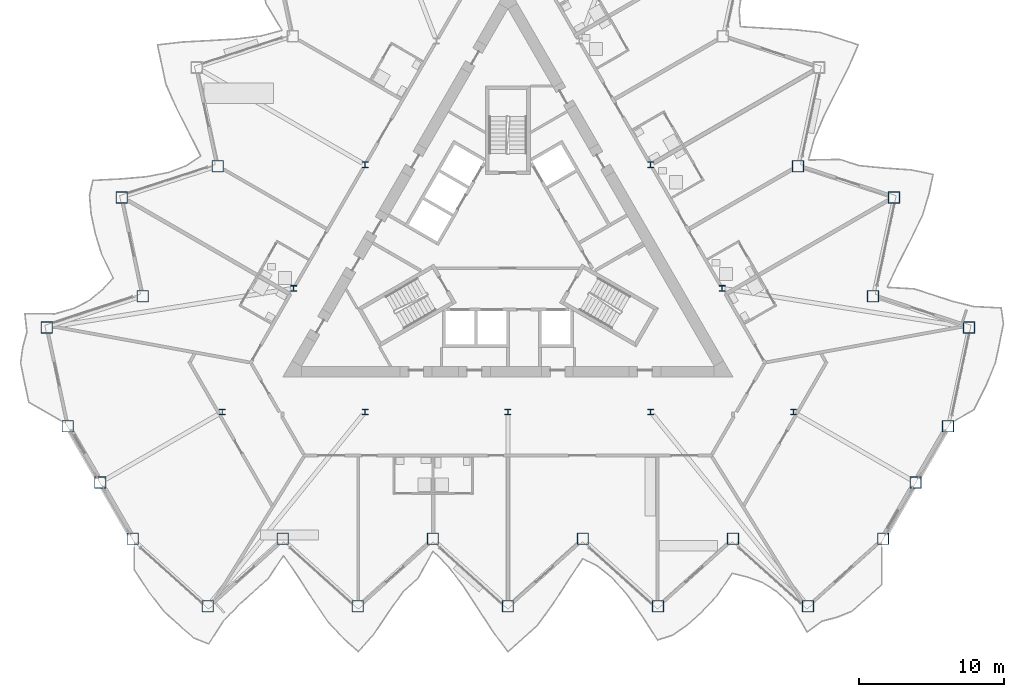
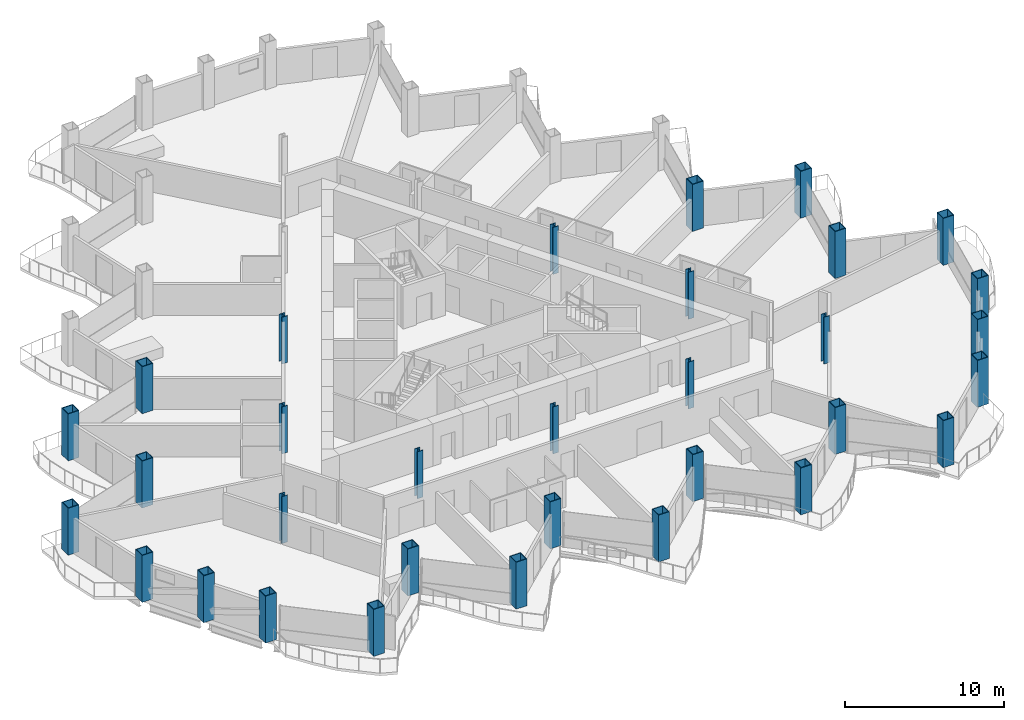
# One storey, part 1 of 24: 32 columns.
"""IFC4 building model written with IfcOpenShell, lengths in metres."""

from ifc_helpers import new_model, si_unit, direction, frame, origin, origin_2d, place, context, subcontext, project, spatial, hollow_rectangle, i_section, extrude, material, material_profile, profile_set, type_object, element, save


model = new_model("IFC4")

# Units and contexts
model_context = context("Model", 3, precision=1e-05, world=origin(), true_north=direction((0.0, 1.0)))
body_context = subcontext(model_context, "Body", "Model", "MODEL_VIEW")
ifc_project = project(units=[si_unit("LENGTHUNIT", "METRE"), si_unit("AREAUNIT", "SQUARE_METRE"), si_unit("VOLUMEUNIT", "CUBIC_METRE"), si_unit("PLANEANGLEUNIT", "RADIAN"), si_unit("MASSUNIT", "GRAM", prefix="KILO")], contexts=[model_context])

# Site, building, storey
site_placement = place(None, origin())
site = spatial("IfcSite", under=ifc_project, at=site_placement, CompositionType="ELEMENT")
building_placement = place(site_placement, origin())
building = spatial("IfcBuilding", under=site, at=building_placement, Name="Cormorant Prow Tower", CompositionType="ELEMENT")
storey_placement = place(building_placement, frame((0.0, 0.0, 205.199951171875)))
storey = spatial("IfcBuildingStorey", under=building, at=storey_placement, Name="L45", CompositionType="ELEMENT", Elevation=205.199951171875)

# Columns
ifc_material_1 = material(Name="Structural steel ASTM A572 Gr 50", Category="steel")
ifc_material_profile_1 = material_profile(ifc_material_1, hollow_rectangle(XDim=0.800048828125, YDim=0.800048828125, WallThickness=0.050048828125, at=origin_2d()), Name="Box 800x800x50")
ifc_profile_set_1 = profile_set([ifc_material_profile_1], Name="Structural steel ASTM A572 Gr 50")
column_type_1 = type_object("IfcColumnType", Name="Perimeter box column 800x800x50", PredefinedType="COLUMN", material=ifc_profile_set_1)
for number, where, z_axis, x_axis, name in (
    (1, (-25.823486328125, -20.0712890625, 0.0), (0.0, 0.0, 1.0), (1.0, 0.0, 0.0), "Perimeter column C4 at S00 L45"),
    (2, (-20.658935546875, -24.7216796875, 0.0), (0.0, 0.0, 1.0), (1.0, 0.0, 0.0), "Perimeter column C4 at S01 L45"),
    (3, (-15.494140625, -20.0712890625, 0.0), (0.0, 0.0, 1.0), (1.0, 0.0, 0.0), "Perimeter column C4 at S02 L45"),
    (4, (-10.329345703125, -24.7216796875, 0.0), (0.0, 0.0, 1.0), (1.0, 0.0, 0.0), "Perimeter column C4 at S03 L45"),
    (5, (-5.164794921875, -20.0712890625, 0.0), (0.0, 0.0, 1.0), (1.0, 0.0, 0.0), "Perimeter column C4 at S04 L45"),
    (6, (0.0, -24.7216796875, 0.0), (0.0, 0.0, 1.0), (1.0, 0.0, 0.0), "Perimeter column C4 at S05 L45"),
    (7, (5.164794921875, -20.0712890625, 0.0), (0.0, 0.0, 1.0), (1.0, 0.0, 0.0), "Perimeter column C4 at S06 L45"),
    (8, (10.329345703125, -24.7216796875, 0.0), (0.0, 0.0, 1.0), (1.0, 0.0, 0.0), "Perimeter column C4 at S07 L45"),
    (9, (15.494140625, -20.0712890625, 0.0), (0.0, 0.0, 1.0), (1.0, 0.0, 0.0), "Perimeter column C4 at S08 L45"),
    (10, (20.658935546875, -24.7216796875, 0.0), (0.0, 0.0, 1.0), (1.0, 0.0, 0.0), "Perimeter column C4 at S09 L45"),
    (11, (25.823486328125, -20.0712890625, 0.0), (0.0, 0.0, 1.0), (1.0, 0.0, 0.0), "Perimeter column C4 at ESE00 L45"),
    (12, (28.058837890625, -16.19970703125, 0.0), (0.0, 0.0, 1.0), (1.0, 0.0, 0.0), "Perimeter column C4 at ESE01 L45"),
    (13, (30.2939453125, -12.328369140625, 0.0), (0.0, 0.0, 1.0), (1.0, 0.0, 0.0), "Perimeter column C4 at ENE00 L45"),
    (14, (31.739013671875, -5.5302734375, 0.0), (0.0, 0.0, 1.0), (1.0, 0.0, 0.0), "Perimeter column C4 at ENE01 L45"),
    (15, (25.12939453125, -3.3828125, 0.0), (0.0, 0.0, 1.0), (1.0, 0.0, 0.0), "Perimeter column C4 at ENE02 L45"),
    (16, (26.57421875, 3.415283203125, 0.0), (0.0, 0.0, 1.0), (1.0, 0.0, 0.0), "Perimeter column C4 at ENE03 L45"),
    (17, (19.964599609375, 5.562744140625, 0.0), (0.0, 0.0, 1.0), (1.0, 0.0, 0.0), "Perimeter column C4 at ENE04 L45"),
    (18, (-19.964599609375, 5.562744140625, 0.0), (0.0, 0.0, 1.0), (1.0, 0.0, 0.0), "Perimeter column C4 at WNW06 L45"),
    (19, (-26.57421875, 3.415283203125, 0.0), (0.0, 0.0, 1.0), (1.0, 0.0, 0.0), "Perimeter column C4 at WNW07 L45"),
    (20, (-25.12939453125, -3.3828125, 0.0), (0.0, 0.0, 1.0), (1.0, 0.0, 0.0), "Perimeter column C4 at WNW08 L45"),
    (21, (-31.739013671875, -5.5302734375, 0.0), (0.0, 0.0, 1.0), (1.0, 0.0, 0.0), "Perimeter column C4 at WNW09 L45"),
    (22, (-30.2939453125, -12.328369140625, 0.0), (0.0, 0.0, 1.0), (1.0, 0.0, 0.0), "Perimeter column C4 at WSW00 L45"),
    (23, (-28.058837890625, -16.19970703125, 0.0), (0.0, 0.0, 1.0), (1.0, 0.0, 0.0), "Perimeter column C4 at WSW01 L45"),
):
    element("IfcColumn", number, at=place(storey_placement, frame(where, z_axis=z_axis, x_axis=x_axis)), inside=storey, type_object=column_type_1, Name=name, PredefinedType="COLUMN", context=body_context, shape_type="SweptSolid", body=[
        extrude(hollow_rectangle(XDim=0.800048828125, YDim=0.800048828125, WallThickness=0.050048828125, at=origin_2d()), origin(), (0.0, 0.0, 1.0), 3.60009765625),
    ])
ifc_material_2 = material(Name="Structural steel ASTM A992 Gr 50", Category="steel")
ifc_material_profile_2 = material_profile(ifc_material_2, i_section(OverallWidth=0.403564453125, OverallDepth=0.407470703125, WebThickness=0.027099609375, FlangeThickness=0.043701171875, at=origin_2d()), Name="W14x233")
ifc_profile_set_2 = profile_set([ifc_material_profile_2], Name="Structural steel ASTM A992 Gr 50")
column_type_2 = type_object("IfcColumnType", Name="Ring column W14x233", PredefinedType="COLUMN", material=ifc_profile_set_2)
for number, where, z_axis, x_axis, name in (
    (24, (-9.828369140625, 5.674560546875, 0.0), (0.0, 0.0, 1.0), (1.0, 0.0, 0.0), "Ring column 3 L45"),
    (25, (-14.74267578125, -2.837158203125, 0.0), (0.0, 0.0, 1.0), (1.0, 0.0, 0.0), "Ring column 4 L45"),
    (26, (-19.656982421875, -11.348876953125, 0.0), (0.0, 0.0, 1.0), (1.0, 0.0, 0.0), "Ring column 5 L45"),
    (27, (-9.828369140625, -11.348876953125, 0.0), (0.0, 0.0, 1.0), (1.0, 0.0, 0.0), "Ring column 6 L45"),
    (28, (0.0, -11.348876953125, 0.0), (0.0, 0.0, 1.0), (1.0, 0.0, 0.0), "Ring column 7 L45"),
    (29, (9.828369140625, -11.348876953125, 0.0), (0.0, 0.0, 1.0), (1.0, 0.0, 0.0), "Ring column 8 L45"),
    (30, (19.656982421875, -11.348876953125, 0.0), (0.0, 0.0, 1.0), (1.0, 0.0, 0.0), "Ring column 9 L45"),
    (31, (14.74267578125, -2.837158203125, 0.0), (0.0, 0.0, 1.0), (1.0, 0.0, 0.0), "Ring column 10 L45"),
    (32, (9.828369140625, 5.674560546875, 0.0), (0.0, 0.0, 1.0), (1.0, 0.0, 0.0), "Ring column 11 L45"),
):
    element("IfcColumn", number, at=place(storey_placement, frame(where, z_axis=z_axis, x_axis=x_axis)), inside=storey, type_object=column_type_2, Name=name, PredefinedType="COLUMN", context=body_context, shape_type="SweptSolid", body=[
        extrude(i_section(OverallWidth=0.403564453125, OverallDepth=0.407470703125, WebThickness=0.027099609375, FlangeThickness=0.043701171875, at=origin_2d()), origin(), (0.0, 0.0, 1.0), 3.60009765625),
    ])

save(model, "model.ifc")
